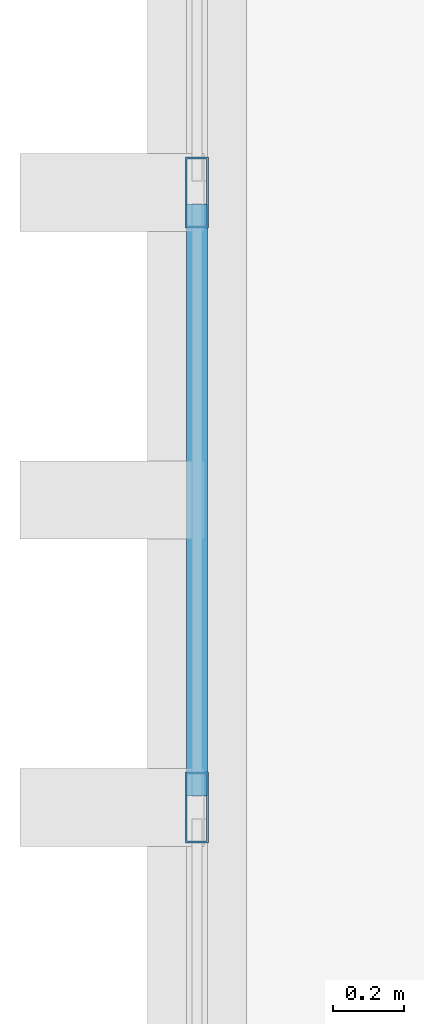
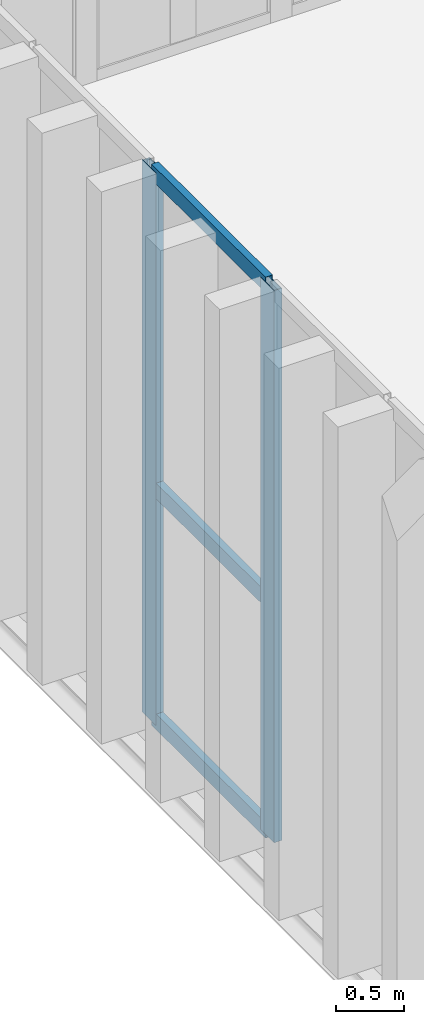
# One storey, part 82 of 211: 5 members, 1 element without a shape of its own.
"""IFC4 building model written with IfcOpenShell, lengths in metres."""

from ifc_helpers import new_model, si_unit, direction, frame, origin, origin_2d, place, context, subcontext, project, spatial, hollow_rectangle, extrude, material, layer, layer_set, material_profile, profile_set, type_object, element, aggregate, save


model = new_model("IFC4")

# Units and contexts
model_context = context("Model", 3, precision=1e-05, world=origin(), true_north=direction((0.0, 1.0)))
body_context = subcontext(model_context, "Body", "Model", "MODEL_VIEW")
ifc_project = project(units=[si_unit("LENGTHUNIT", "METRE"), si_unit("AREAUNIT", "SQUARE_METRE"), si_unit("VOLUMEUNIT", "CUBIC_METRE"), si_unit("PLANEANGLEUNIT", "RADIAN"), si_unit("MASSUNIT", "GRAM", prefix="KILO")], contexts=[model_context])

# Site, building, storey
site_placement = place(None, origin())
site = spatial("IfcSite", under=ifc_project, at=site_placement, CompositionType="ELEMENT")
building_placement = place(site_placement, origin())
building = spatial("IfcBuilding", under=site, at=building_placement, Name="Barlavento Convention Centre", CompositionType="ELEMENT")
storey_placement = place(building_placement, frame((0.0, 0.0, 6.0)))
storey = spatial("IfcBuildingStorey", under=building, at=storey_placement, Name="L01", CompositionType="ELEMENT", Elevation=6.0)

# Curtain wall, members
ifc_material_1 = material(Name="Powder-coated aluminium and Low-E glass", Category="aluminium")
ifc_layer = layer(ifc_material_1, 0.179931640625)
ifc_layer_set = layer_set([ifc_layer], Name="ARC-CW-EXH-L01")
curtain_wall_type = type_object("IfcCurtainWallType", Name="ARC-CW-EXH-L01", PredefinedType="NOTDEFINED", material=ifc_layer_set)
curtain_wall_placement = place(storey_placement, origin())
curtain_wall = element("IfcCurtainWall", 1, at=curtain_wall_placement, inside=storey, type_object=curtain_wall_type, Name="L01 unitised curtain wall CW04", PredefinedType="NOTDEFINED")
ifc_material_2 = material(Name="Powder-coated aluminium", Category="aluminium")
ifc_material_profile_1 = material_profile(ifc_material_2, hollow_rectangle(XDim=0.06494140625, YDim=0.199951171875, WallThickness=0.0048828125, at=origin_2d()), Name="AL-MULL 65x200x5")
ifc_profile_set_1 = profile_set([ifc_material_profile_1], Name="Powder-coated aluminium")
member_type_1 = type_object("IfcMemberType", Name="ARC-CWM-65X200", PredefinedType="MULLION", material=ifc_profile_set_1)
member_1_placement = place(storey_placement, frame((0.0, 125.970703125, 0.0), z_axis=(0.0, 0.0, 1.0), x_axis=(-1.0, 0.0, 0.0)))
member_1 = element("IfcMember", 2, at=member_1_placement, type_object=member_type_1, Name="CW04 mullion 6", PredefinedType="MULLION", context=body_context, shape_type="SweptSolid", body=[
    extrude(hollow_rectangle(XDim=0.06494140625, YDim=0.199951171875, WallThickness=0.0048828125, at=origin_2d()), origin(), (0.0, 0.0, 1.0), 4.949951171875),
])
member_2_placement = place(storey_placement, frame((0.0, 127.7080078125, 0.0), z_axis=(0.0, 0.0, 1.0), x_axis=(-1.0, 0.0, 0.0)))
member_2 = element("IfcMember", 3, at=member_2_placement, type_object=member_type_1, Name="CW04 mullion 7", PredefinedType="MULLION", context=body_context, shape_type="SweptSolid", body=[
    extrude(hollow_rectangle(XDim=0.06494140625, YDim=0.199951171875, WallThickness=0.0048828125, at=origin_2d()), origin(), (0.0, 0.0, 1.0), 4.949951171875),
])
ifc_material_profile_2 = material_profile(ifc_material_2, hollow_rectangle(XDim=0.06005859375, YDim=0.139892578125, WallThickness=0.00390625, at=origin_2d()), Name="AL-TRAN 60x140x4")
ifc_profile_set_2 = profile_set([ifc_material_profile_2], Name="Powder-coated aluminium")
member_type_2 = type_object("IfcMemberType", Name="ARC-CWT-60X140", PredefinedType="USERDEFINED", material=ifc_profile_set_2)
member_3_placement = place(storey_placement, frame((0.0, 126.003173828125, 0.030029296875), z_axis=(0.0, 1.0, 0.0), x_axis=(-1.0, 0.0, 0.0)))
member_3 = element("IfcMember", 4, at=member_3_placement, type_object=member_type_2, Name="CW04 transom 6.1", ObjectType="TRANSOM", PredefinedType="USERDEFINED", context=body_context, shape_type="SweptSolid", body=[
    extrude(hollow_rectangle(XDim=0.06005859375, YDim=0.139892578125, WallThickness=0.00390625, at=origin_2d()), origin(), (0.0, 0.0, 1.0), 1.67236328125),
])
member_4_placement = place(storey_placement, frame((0.0, 126.003173828125, 2.10009765625), z_axis=(0.0, 1.0, 0.0), x_axis=(-1.0, 0.0, 0.0)))
member_4 = element("IfcMember", 5, at=member_4_placement, type_object=member_type_2, Name="CW04 transom 6.2", ObjectType="TRANSOM", PredefinedType="USERDEFINED", context=body_context, shape_type="SweptSolid", body=[
    extrude(hollow_rectangle(XDim=0.06005859375, YDim=0.139892578125, WallThickness=0.00390625, at=origin_2d()), origin(), (0.0, 0.0, 1.0), 1.67236328125),
])
member_5_placement = place(storey_placement, frame((0.0, 126.003173828125, 4.919921875), z_axis=(0.0, 1.0, 0.0), x_axis=(-1.0, 0.0, 0.0)))
member_5 = element("IfcMember", 6, at=member_5_placement, type_object=member_type_2, Name="CW04 transom 6.3", ObjectType="TRANSOM", PredefinedType="USERDEFINED", context=body_context, shape_type="SweptSolid", body=[
    extrude(hollow_rectangle(XDim=0.06005859375, YDim=0.139892578125, WallThickness=0.00390625, at=origin_2d()), origin(), (0.0, 0.0, 1.0), 1.67236328125),
])
aggregate(curtain_wall, [member_1, member_2, member_3, member_4, member_5])

save(model, "model.ifc")
